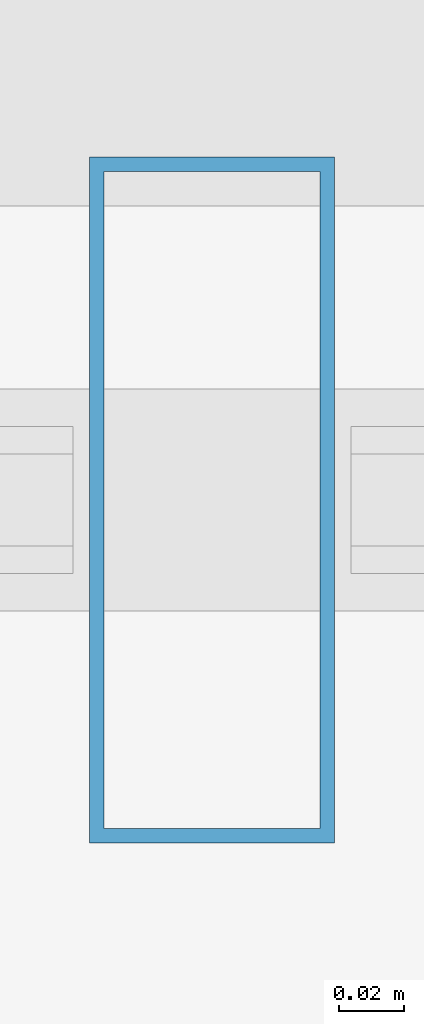
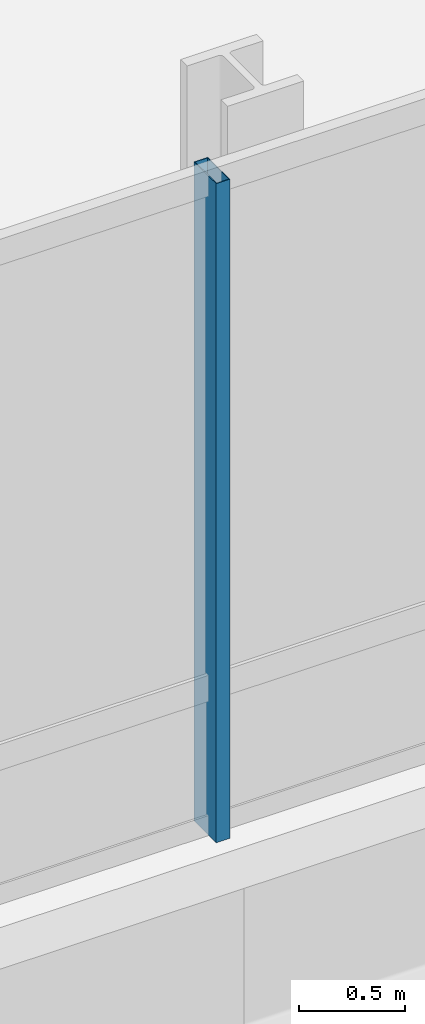
# One storey, part 6 of 35: 1 member, 1 element without a shape of its own.
"""IFC4 building model written with IfcOpenShell, lengths in metres."""

from ifc_helpers import new_model, si_unit, direction, frame, origin, origin_2d, place, context, subcontext, project, spatial, hollow_rectangle, extrude, material, material_profile, profile_set, type_object, element, aggregate, save


model = new_model("IFC4")

# Units and contexts
model_context = context("Model", 3, precision=1e-05, world=origin(), true_north=direction((0.0, 1.0)))
body_context = subcontext(model_context, "Body", "Model", "MODEL_VIEW")
ifc_project = project(units=[si_unit("LENGTHUNIT", "METRE"), si_unit("AREAUNIT", "SQUARE_METRE"), si_unit("VOLUMEUNIT", "CUBIC_METRE"), si_unit("PLANEANGLEUNIT", "RADIAN"), si_unit("MASSUNIT", "GRAM", prefix="KILO")], contexts=[model_context])

# Site, building, storey
site_placement = place(None, origin())
site = spatial("IfcSite", under=ifc_project, at=site_placement, CompositionType="ELEMENT")
building_placement = place(site_placement, origin())
building = spatial("IfcBuilding", under=site, at=building_placement, Name="Punatoya Terracotta Tower", CompositionType="ELEMENT")
storey_placement = place(building_placement, frame((0.0, 0.0, 52.5)))
storey = spatial("IfcBuildingStorey", under=building, at=storey_placement, Name="L11", CompositionType="ELEMENT", Elevation=52.5)

# Curtain wall, member
ifc_material_1 = material(Name="Aluminium 6063-T6 + Double Low-E Glass", Category="aluminium")
curtain_wall_type = type_object("IfcCurtainWallType", Name="CW-M1", PredefinedType="NOTDEFINED", material=ifc_material_1)
curtain_wall_placement = place(storey_placement, origin())
curtain_wall = element("IfcCurtainWall", 1, at=curtain_wall_placement, inside=storey, type_object=curtain_wall_type, Name="L11 Curtain Wall CW-L11-S01-1", PredefinedType="NOTDEFINED")
ifc_material_2 = material(Name="Aluminium 6063-T6", Category="aluminium")
ifc_material_profile = material_profile(ifc_material_2, hollow_rectangle(XDim=0.074951171875, YDim=0.2099609375, WallThickness=0.00439453125, at=origin_2d()))
ifc_profile_set = profile_set([ifc_material_profile], Name="Aluminium 6063-T6")
member_type = type_object("IfcMemberType", Name="CW-MUL-M1", PredefinedType="MULLION", material=ifc_profile_set)
member_placement = place(storey_placement, frame((-4.1669921875, -23.25, 0.0), z_axis=(0.0, 0.0, 1.0), x_axis=(1.0, 0.0, 0.0)))
member = element("IfcMember", 2, at=member_placement, type_object=member_type, Name="CW-L11-S01-1 Mullion 05", PredefinedType="MULLION", context=body_context, shape_type="SweptSolid", body=[
    extrude(hollow_rectangle(XDim=0.074951171875, YDim=0.2099609375, WallThickness=0.00439453125, at=origin_2d()), origin(), (0.0, 0.0, 1.0), 3.81005859375),
])
aggregate(curtain_wall, [member])

save(model, "model.ifc")
